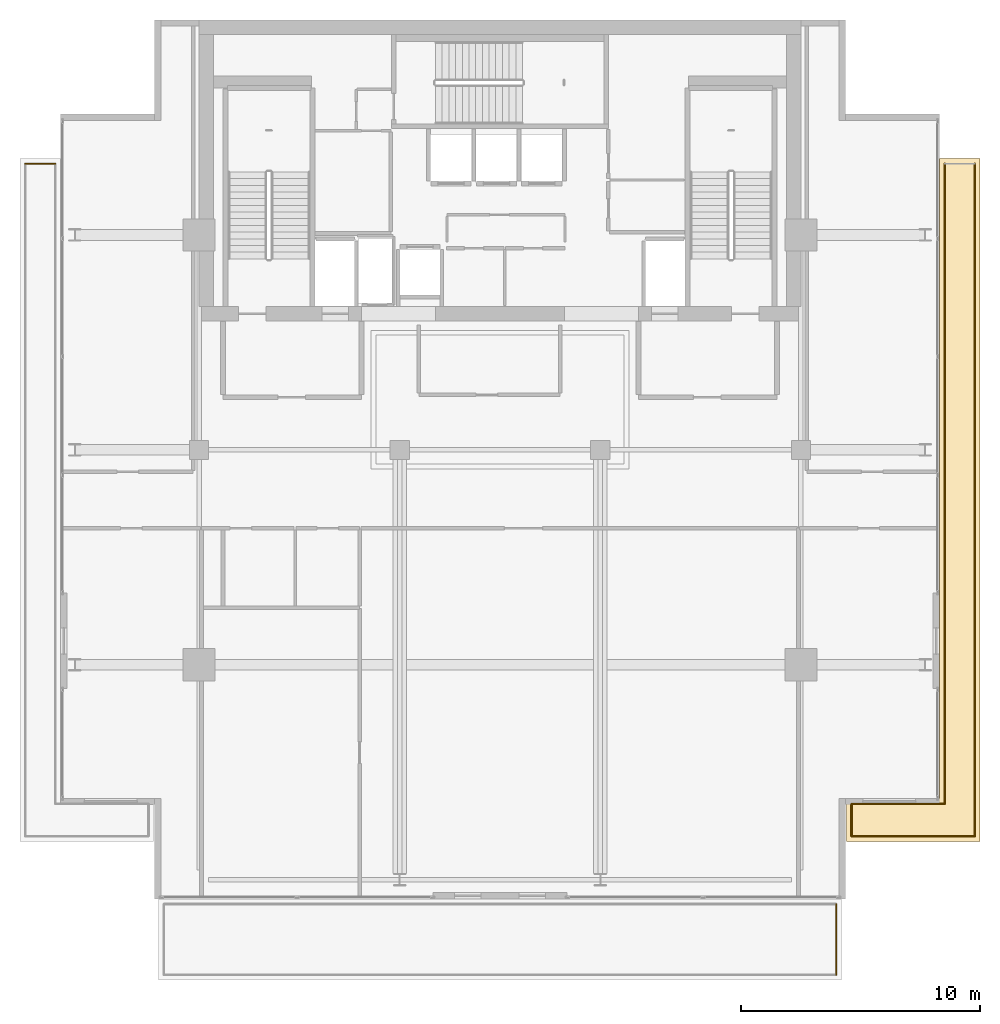
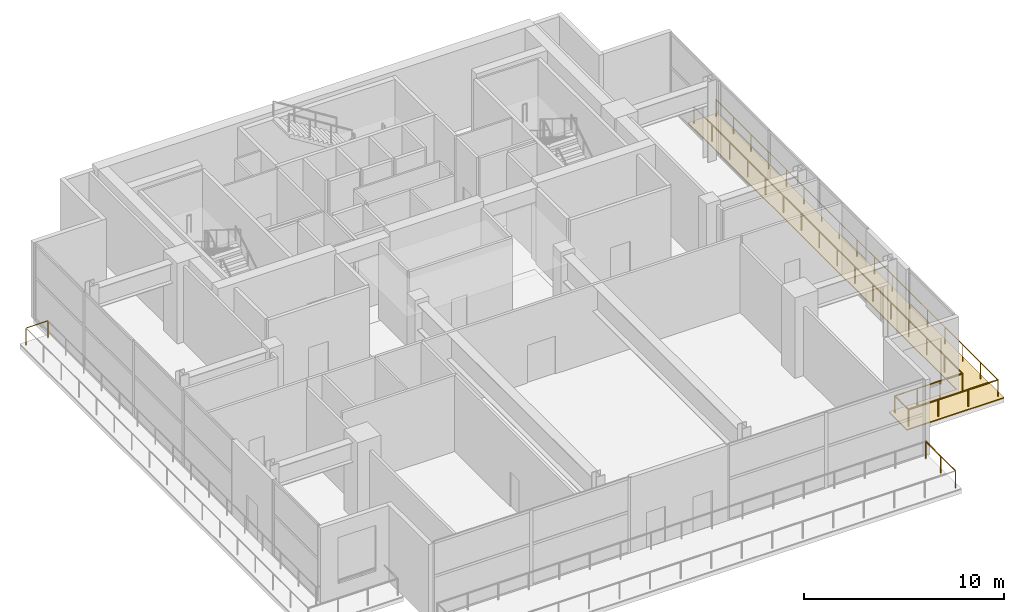
# One storey, part 21 of 22: 7 railings, 1 covering.
"""IFC4 building model written with IfcOpenShell, lengths in metres."""

from ifc_helpers import new_model, si_unit, direction, frame, origin, origin_2d, place, context, subcontext, project, spatial, polyline, circle, outline, extrude, material, layer, layer_set, type_object, element, save


model = new_model("IFC4")

# Units and contexts
model_context = context("Model", 3, precision=1e-05, world=origin(), true_north=direction((0.0, 1.0)))
body_context = subcontext(model_context, "Body", "Model", "MODEL_VIEW")
ifc_project = project(units=[si_unit("LENGTHUNIT", "METRE"), si_unit("AREAUNIT", "SQUARE_METRE"), si_unit("VOLUMEUNIT", "CUBIC_METRE"), si_unit("PLANEANGLEUNIT", "RADIAN"), si_unit("MASSUNIT", "GRAM", prefix="KILO")], contexts=[model_context])

# Site, building, storey
site_placement = place(None, origin())
site = spatial("IfcSite", under=ifc_project, at=site_placement, CompositionType="ELEMENT")
building_placement = place(site_placement, origin())
building = spatial("IfcBuilding", under=site, at=building_placement, Name="Maruvema Waterfront Hotel and Observation Tower", CompositionType="ELEMENT")
storey_placement = place(building_placement, frame((0.0, 0.0, 354.199951171875)))
storey = spatial("IfcBuildingStorey", under=building, at=storey_placement, Name="L87", CompositionType="ELEMENT", Elevation=354.199951171875)

# Covering
ifc_material_1 = material(Name="SBS modified bitumen waterproofing with granite ballast", Category="masonry")
ifc_layer = layer(ifc_material_1, 0.090087890625, Name="Elastomeric Waterproof Roof Membrane and Granite Ballast 90 mm")
ifc_layer_set = layer_set([ifc_layer], Name="SBS modified bitumen waterproofing with granite ballast")
covering_type = type_object("IfcCoveringType", Name="Elastomeric Waterproof Roof Membrane and Granite Ballast 90 mm", PredefinedType="ROOFING", material=ifc_layer_set)
covering_placement = place(storey_placement, origin())
element("IfcCovering", 1, at=covering_placement, inside=storey, type_object=covering_type, Name="L87 Setback Terrace Waterproofing and Pavers 3", PredefinedType="ROOFING", context=body_context, shape_type="SweptSolid", body=[
    extrude(outline(polyline([(52.300048828125, 19.60009765625), (52.300048828125, 21.39990234375), (56.199951171875, 21.39990234375), (56.199951171875, 48.199951171875), (57.89990234375, 48.199951171875), (57.89990234375, 19.60009765625), (52.300048828125, 19.60009765625)])), origin(), (0.0, 0.0, 1.0), 0.06005859375),
])

# Railings
ifc_material_2 = material(Name="Brushed stainless steel Grade 316", Category="steel")
railing_type = type_object("IfcRailingType", Name="Ramp and Terrace Guard Balustrade 1100 mm", PredefinedType="BALUSTRADE", material=ifc_material_2)
railing_1_placement = place(storey_placement, frame((17.919921875, 47.97998046875, 0.0)))
element("IfcRailing", 2, at=railing_1_placement, inside=storey, type_object=railing_type, Name="L87 Perimeter Safety Balustrade 1", PredefinedType="BALUSTRADE", context=body_context, shape_type="SweptSolid", body=[
    extrude(circle(Radius=0.02392578125, at=origin_2d()), frame((0.0, 0.0, 1.076171875), z_axis=(1.0, 0.0, 0.0), x_axis=(0.0, 1.0, 0.0)), (0.0, 0.0, 1.0), 1.260009765625),
    extrude(circle(Radius=0.02099609375, at=origin_2d()), origin(), (0.0, 0.0, 1.0), 1.052001953125),
    extrude(circle(Radius=0.02099609375, at=origin_2d()), frame((1.260009765625, 0.0, 0.0)), (0.0, 0.0, 1.0), 1.052001953125),
])
railing_2_placement = place(storey_placement, frame((51.8798828125, 16.97998046875, 0.0)))
element("IfcRailing", 3, at=railing_2_placement, inside=storey, type_object=railing_type, Name="L87 Perimeter Safety Balustrade 2", PredefinedType="BALUSTRADE", context=body_context, shape_type="SweptSolid", body=[
    extrude(circle(Radius=0.02392578125, at=origin_2d()), frame((0.0, 0.0, 1.076171875), z_axis=(0.0, -1.0, 0.0), x_axis=(1.0, 0.0, 0.0)), (0.0, 0.0, 1.0), 2.9599609375),
    extrude(circle(Radius=0.02099609375, at=origin_2d()), origin(), (0.0, 0.0, 1.0), 1.052001953125),
    extrude(circle(Radius=0.02099609375, at=origin_2d()), frame((0.0, -1.47998046875, 0.0)), (0.0, 0.0, 1.0), 1.052001953125),
    extrude(circle(Radius=0.02099609375, at=origin_2d()), frame((0.0, -2.9599609375, 0.0)), (0.0, 0.0, 1.0), 1.052001953125),
])
railing_3_placement = place(storey_placement, frame((52.52001953125, 19.820068359375, 0.0)))
element("IfcRailing", 4, at=railing_3_placement, inside=storey, type_object=railing_type, Name="L87 Perimeter Safety Balustrade 1", PredefinedType="BALUSTRADE", context=body_context, shape_type="SweptSolid", body=[
    extrude(circle(Radius=0.02392578125, at=origin_2d()), frame((0.0, 0.0, 1.076171875), z_axis=(0.0, 1.0, 0.0), x_axis=(-1.0, 0.0, 0.0)), (0.0, 0.0, 1.0), 1.35986328125),
    extrude(circle(Radius=0.02099609375, at=origin_2d()), origin(), (0.0, 0.0, 1.0), 1.052001953125),
    extrude(circle(Radius=0.02099609375, at=origin_2d()), frame((0.0, 1.35986328125, 0.0)), (0.0, 0.0, 1.0), 1.052001953125),
])
railing_4_placement = place(storey_placement, frame((52.52001953125, 21.179931640625, 0.0)))
element("IfcRailing", 5, at=railing_4_placement, inside=storey, type_object=railing_type, Name="L87 Perimeter Safety Balustrade 2", PredefinedType="BALUSTRADE", context=body_context, shape_type="SweptSolid", body=[
    extrude(circle(Radius=0.02392578125, at=origin_2d()), frame((0.0, 0.0, 1.076171875), z_axis=(1.0, 0.0, 0.0), x_axis=(0.0, 1.0, 0.0)), (0.0, 0.0, 1.0), 3.89990234375),
    extrude(circle(Radius=0.02099609375, at=origin_2d()), origin(), (0.0, 0.0, 1.0), 1.052001953125),
    extrude(circle(Radius=0.02099609375, at=origin_2d()), frame((1.300048828125, 0.0, 0.0)), (0.0, 0.0, 1.0), 1.052001953125),
    extrude(circle(Radius=0.02099609375, at=origin_2d()), frame((2.599853515625, 0.0, 0.0)), (0.0, 0.0, 1.0), 1.052001953125),
    extrude(circle(Radius=0.02099609375, at=origin_2d()), frame((3.89990234375, 0.0, 0.0)), (0.0, 0.0, 1.0), 1.052001953125),
])
railing_5_placement = place(storey_placement, frame((56.419921875, 21.179931640625, 0.0)))
element("IfcRailing", 6, at=railing_5_placement, inside=storey, type_object=railing_type, Name="L87 Perimeter Safety Balustrade 3", PredefinedType="BALUSTRADE", context=body_context, shape_type="SweptSolid", body=[
    extrude(circle(Radius=0.02392578125, at=origin_2d()), frame((0.0, 0.0, 1.076171875), z_axis=(0.0, 1.0, 0.0), x_axis=(-1.0, 0.0, 0.0)), (0.0, 0.0, 1.0), 26.800048828125),
    extrude(circle(Radius=0.02099609375, at=origin_2d()), origin(), (0.0, 0.0, 1.0), 1.052001953125),
    extrude(circle(Radius=0.02099609375, at=origin_2d()), frame((0.0, 1.78662109375, 0.0)), (0.0, 0.0, 1.0), 1.052001953125),
    extrude(circle(Radius=0.02099609375, at=origin_2d()), frame((0.0, 3.5732421875, 0.0)), (0.0, 0.0, 1.0), 1.052001953125),
    extrude(circle(Radius=0.02099609375, at=origin_2d()), frame((0.0, 5.360107421875, 0.0)), (0.0, 0.0, 1.0), 1.052001953125),
    extrude(circle(Radius=0.02099609375, at=origin_2d()), frame((0.0, 7.146728515625, 0.0)), (0.0, 0.0, 1.0), 1.052001953125),
    extrude(circle(Radius=0.02099609375, at=origin_2d()), frame((0.0, 8.933349609375, 0.0)), (0.0, 0.0, 1.0), 1.052001953125),
    extrude(circle(Radius=0.02099609375, at=origin_2d()), frame((0.0, 10.719970703125, 0.0)), (0.0, 0.0, 1.0), 1.052001953125),
    extrude(circle(Radius=0.02099609375, at=origin_2d()), frame((0.0, 12.506591796875, 0.0)), (0.0, 0.0, 1.0), 1.052001953125),
    extrude(circle(Radius=0.02099609375, at=origin_2d()), frame((0.0, 14.29345703125, 0.0)), (0.0, 0.0, 1.0), 1.052001953125),
    extrude(circle(Radius=0.02099609375, at=origin_2d()), frame((0.0, 16.080078125, 0.0)), (0.0, 0.0, 1.0), 1.052001953125),
    extrude(circle(Radius=0.02099609375, at=origin_2d()), frame((0.0, 17.86669921875, 0.0)), (0.0, 0.0, 1.0), 1.052001953125),
    extrude(circle(Radius=0.02099609375, at=origin_2d()), frame((0.0, 19.6533203125, 0.0)), (0.0, 0.0, 1.0), 1.052001953125),
    extrude(circle(Radius=0.02099609375, at=origin_2d()), frame((0.0, 21.43994140625, 0.0)), (0.0, 0.0, 1.0), 1.052001953125),
    extrude(circle(Radius=0.02099609375, at=origin_2d()), frame((0.0, 23.226806640625, 0.0)), (0.0, 0.0, 1.0), 1.052001953125),
    extrude(circle(Radius=0.02099609375, at=origin_2d()), frame((0.0, 25.013427734375, 0.0)), (0.0, 0.0, 1.0), 1.052001953125),
    extrude(circle(Radius=0.02099609375, at=origin_2d()), frame((0.0, 26.800048828125, 0.0)), (0.0, 0.0, 1.0), 1.052001953125),
])
railing_6_placement = place(storey_placement, frame((57.679931640625, 47.97998046875, 0.0)))
element("IfcRailing", 7, at=railing_6_placement, inside=storey, type_object=railing_type, Name="L87 Perimeter Safety Balustrade 5", PredefinedType="BALUSTRADE", context=body_context, shape_type="SweptSolid", body=[
    extrude(circle(Radius=0.02392578125, at=origin_2d()), frame((0.0, 0.0, 1.076171875), z_axis=(0.0, -1.0, 0.0), x_axis=(1.0, 0.0, 0.0)), (0.0, 0.0, 1.0), 28.159912109375),
    extrude(circle(Radius=0.02099609375, at=origin_2d()), origin(), (0.0, 0.0, 1.0), 1.052001953125),
    extrude(circle(Radius=0.02099609375, at=origin_2d()), frame((0.0, -1.760009765625, 0.0)), (0.0, 0.0, 1.0), 1.052001953125),
    extrude(circle(Radius=0.02099609375, at=origin_2d()), frame((0.0, -3.52001953125, 0.0)), (0.0, 0.0, 1.0), 1.052001953125),
    extrude(circle(Radius=0.02099609375, at=origin_2d()), frame((0.0, -5.280029296875, 0.0)), (0.0, 0.0, 1.0), 1.052001953125),
    extrude(circle(Radius=0.02099609375, at=origin_2d()), frame((0.0, -7.0400390625, 0.0)), (0.0, 0.0, 1.0), 1.052001953125),
    extrude(circle(Radius=0.02099609375, at=origin_2d()), frame((0.0, -8.800048828125, 0.0)), (0.0, 0.0, 1.0), 1.052001953125),
    extrude(circle(Radius=0.02099609375, at=origin_2d()), frame((0.0, -10.56005859375, 0.0)), (0.0, 0.0, 1.0), 1.052001953125),
    extrude(circle(Radius=0.02099609375, at=origin_2d()), frame((0.0, -12.320068359375, 0.0)), (0.0, 0.0, 1.0), 1.052001953125),
    extrude(circle(Radius=0.02099609375, at=origin_2d()), frame((0.0, -14.080078125, 0.0)), (0.0, 0.0, 1.0), 1.052001953125),
    extrude(circle(Radius=0.02099609375, at=origin_2d()), frame((0.0, -15.83984375, 0.0)), (0.0, 0.0, 1.0), 1.052001953125),
    extrude(circle(Radius=0.02099609375, at=origin_2d()), frame((0.0, -17.599853515625, 0.0)), (0.0, 0.0, 1.0), 1.052001953125),
    extrude(circle(Radius=0.02099609375, at=origin_2d()), frame((0.0, -19.35986328125, 0.0)), (0.0, 0.0, 1.0), 1.052001953125),
    extrude(circle(Radius=0.02099609375, at=origin_2d()), frame((0.0, -21.119873046875, 0.0)), (0.0, 0.0, 1.0), 1.052001953125),
    extrude(circle(Radius=0.02099609375, at=origin_2d()), frame((0.0, -22.8798828125, 0.0)), (0.0, 0.0, 1.0), 1.052001953125),
    extrude(circle(Radius=0.02099609375, at=origin_2d()), frame((0.0, -24.639892578125, 0.0)), (0.0, 0.0, 1.0), 1.052001953125),
    extrude(circle(Radius=0.02099609375, at=origin_2d()), frame((0.0, -26.39990234375, 0.0)), (0.0, 0.0, 1.0), 1.052001953125),
    extrude(circle(Radius=0.02099609375, at=origin_2d()), frame((0.0, -28.159912109375, 0.0)), (0.0, 0.0, 1.0), 1.052001953125),
])
railing_7_placement = place(storey_placement, frame((57.679931640625, 19.820068359375, 0.0)))
element("IfcRailing", 8, at=railing_7_placement, inside=storey, type_object=railing_type, Name="L87 Perimeter Safety Balustrade 6", PredefinedType="BALUSTRADE", context=body_context, shape_type="SweptSolid", body=[
    extrude(circle(Radius=0.02392578125, at=origin_2d()), frame((0.0, 0.0, 1.076171875), z_axis=(-1.0, 0.0, 0.0), x_axis=(0.0, -1.0, 0.0)), (0.0, 0.0, 1.0), 5.159912109375),
    extrude(circle(Radius=0.02099609375, at=origin_2d()), origin(), (0.0, 0.0, 1.0), 1.052001953125),
    extrude(circle(Radius=0.02099609375, at=origin_2d()), frame((-1.719970703125, 0.0, 0.0)), (0.0, 0.0, 1.0), 1.052001953125),
    extrude(circle(Radius=0.02099609375, at=origin_2d()), frame((-3.43994140625, 0.0, 0.0)), (0.0, 0.0, 1.0), 1.052001953125),
    extrude(circle(Radius=0.02099609375, at=origin_2d()), frame((-5.159912109375, 0.0, 0.0)), (0.0, 0.0, 1.0), 1.052001953125),
])

save(model, "model.ifc")
